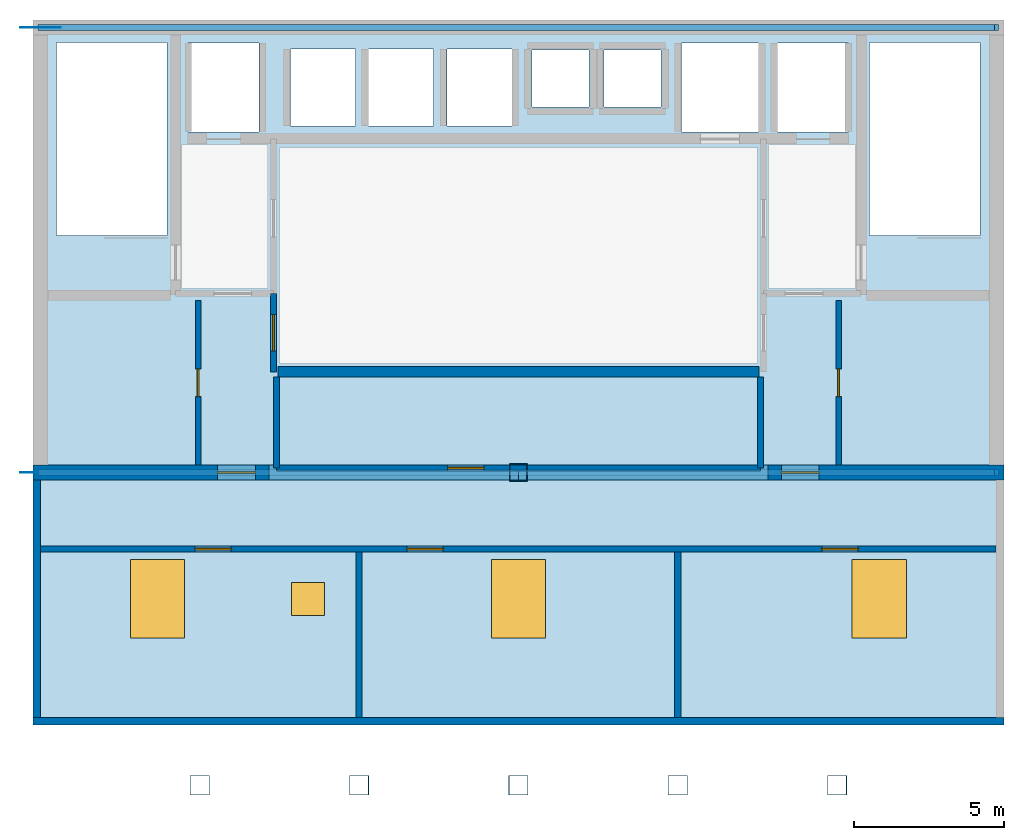
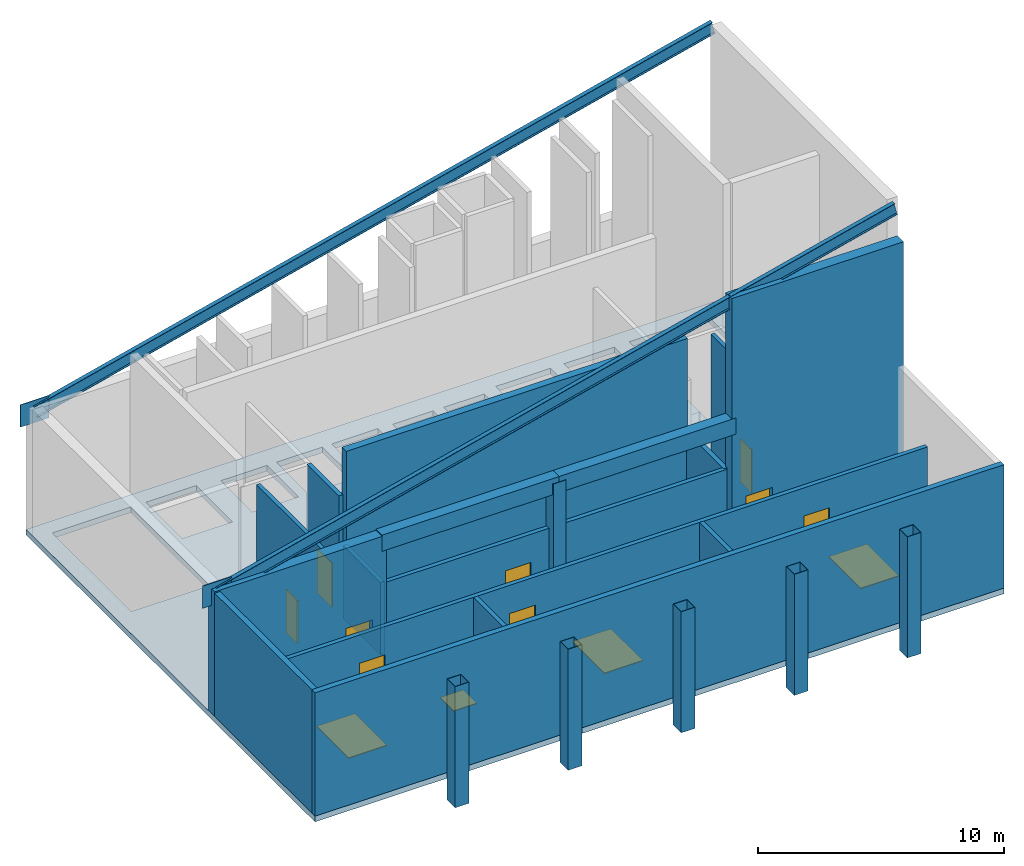
# One storey, part 1 of 3: 14 walls, 9 doors, 6 columns, 4 windows, 2 beams, 2 members, 2 plates, 1 slab, 13 openings.
"""IFC4 building model written with IfcOpenShell, lengths in metres."""

import ifcopenshell
import ifcopenshell.guid

model = None  # the IFC model being written
_history = None  # IfcOwnerHistory: only IFC2X3 demands one
_inside = {}  # id of a spatial element -> (the spatial element, [elements in it])
_under = {}  # id of a project, library or spatial element -> (it, [spatial elements below it])
_declared = {}  # id of a project -> (the project, [libraries it declares])
_typed = {}  # id of a type object -> (the type object, [elements of that type])
_made_of = {}  # id of a material, layer set ... -> (it, [elements and type objects made of it])


def new_model(schema):
    """Start an empty IFC model of exactly this schema.

    Asked for "IFC4X3", IfcOpenShell would pick the latest addendum, in which some entities
    have other attributes; the version numbers below select the first issue.
    IFC2X3 requires an IfcOwnerHistory on every rooted entity: one is made here for all.
    """
    global model, _history
    if schema == "IFC4X3":
        model = ifcopenshell.file(schema_version=(4, 3, 0, 0))
    else:
        model = ifcopenshell.file(schema=schema)
    _inside.clear()
    _under.clear()
    _declared.clear()
    _typed.clear()
    _made_of.clear()
    _history = None
    if model.schema == "IFC2X3":
        org = make("IfcOrganization", Name="unknown")
        user = make(
            "IfcPersonAndOrganization",
            ThePerson=make("IfcPerson", FamilyName="unknown"),
            TheOrganization=org,
        )
        app = make(
            "IfcApplication",
            ApplicationDeveloper=org,
            Version="unknown",
            ApplicationFullName="unknown",
            ApplicationIdentifier="unknown",
        )
        _history = make(
            "IfcOwnerHistory",
            OwningUser=user,
            OwningApplication=app,
            ChangeAction="ADDED",
            CreationDate=0,
        )
    return model


def make(cls, **values):
    """One entity of the class cls with the attributes given. An attribute that is None is left unset."""
    return model.create_entity(
        cls, **{name: value for name, value in values.items() if value is not None}
    )


def rooted(cls, **values):
    """An entity with a GlobalId (a new one), such as an element, a storey or a relation."""
    return make(cls, GlobalId=ifcopenshell.guid.new(), OwnerHistory=_history, **values)


def si_unit(unit_type, name, prefix=None):
    """IfcSIUnit, for example si_unit("LENGTHUNIT", "METRE", prefix="MILLI")."""
    return make("IfcSIUnit", UnitType=unit_type, Prefix=prefix, Name=name)


def assignment(units):
    """IfcUnitAssignment: the units of a project."""
    return None if units is None else make("IfcUnitAssignment", Units=units)


def point(xyz):
    """IfcCartesianPoint."""
    return None if xyz is None else make("IfcCartesianPoint", Coordinates=xyz)


def direction(xyz):
    """IfcDirection."""
    return None if xyz is None else make("IfcDirection", DirectionRatios=xyz)


def frame(location, z_axis=None, x_axis=None):
    """IfcAxis2Placement3D, a coordinate frame: its origin and axes. An axis left out is left unset."""
    return make(
        "IfcAxis2Placement3D",
        Location=point(location),
        Axis=direction(z_axis),
        RefDirection=direction(x_axis),
    )


def frame_2d(location, x_axis=None):
    """IfcAxis2Placement2D, a coordinate frame in the plane: its origin and x axis."""
    return make(
        "IfcAxis2Placement2D", Location=point(location), RefDirection=direction(x_axis)
    )


def origin():
    """The frame at (0, 0, 0) with its axes left unset."""
    return frame((0.0, 0.0, 0.0))


def origin_2d():
    """The frame at (0, 0) in the plane with its x axis left unset."""
    return frame_2d((0.0, 0.0))


def place(relative_to, where):
    """IfcLocalPlacement: puts the frame where relative to a parent placement (None: the world)."""
    return make(
        "IfcLocalPlacement", PlacementRelTo=relative_to, RelativePlacement=where
    )


def context(
    kind, dimensions, precision=None, world=None, true_north=None, identifier=None
):
    """IfcGeometricRepresentationContext, for example the 3D "Model" context."""
    return make(
        "IfcGeometricRepresentationContext",
        ContextIdentifier=identifier,
        ContextType=kind,
        CoordinateSpaceDimension=dimensions,
        Precision=precision,
        WorldCoordinateSystem=world,
        TrueNorth=true_north,
    )


def subcontext(parent, identifier, kind, view, scale=None):
    """IfcGeometricRepresentationSubContext, for example "Body" below "Model"."""
    return make(
        "IfcGeometricRepresentationSubContext",
        ContextIdentifier=identifier,
        ContextType=kind,
        ParentContext=parent,
        TargetScale=scale,
        TargetView=view,
    )


def project(units=None, contexts=None):
    """IfcProject with its units and contexts."""
    return rooted(
        "IfcProject",
        Name="project",
        RepresentationContexts=contexts,
        UnitsInContext=assignment(units),
    )


def spatial(cls, under=None, at=None, **own):
    """A site, building, storey or space (cls), placed at a placement, below another one or the project."""
    s = rooted(cls, ObjectPlacement=at, **own)
    if under is not None:
        _under.setdefault(under.id(), (under, []))[1].append(s)
    return s


def polyline(points):
    """IfcPolyline through the points."""
    return make("IfcPolyline", Points=[point(p) for p in points])


def profile(cls, at=None, kind="AREA", **sizes):
    """A parametric profile (cls). Its sizes go by their IFC names, for example OverallWidth=200.0."""
    return make(cls, ProfileType=kind, Position=at, **sizes)


def rectangle(**sizes):
    """IfcRectangleProfileDef."""
    return profile("IfcRectangleProfileDef", **sizes)


def hollow_rectangle(**sizes):
    """IfcRectangleHollowProfileDef."""
    return profile("IfcRectangleHollowProfileDef", **sizes)


def i_section(**sizes):
    """IfcIShapeProfileDef."""
    return profile("IfcIShapeProfileDef", **sizes)


def outline(outer, holes=None, kind="AREA"):
    """IfcArbitraryClosedProfileDef: a profile drawn as a closed curve; with holes, ...WithVoids."""
    if holes is None:
        return make("IfcArbitraryClosedProfileDef", ProfileType=kind, OuterCurve=outer)
    return make(
        "IfcArbitraryProfileDefWithVoids",
        ProfileType=kind,
        OuterCurve=outer,
        InnerCurves=holes,
    )


def extrude(swept, where, along, depth):
    """IfcExtrudedAreaSolid: the profile swept, set in the frame where, extruded along a direction by depth."""
    return make(
        "IfcExtrudedAreaSolid",
        SweptArea=swept,
        Position=where,
        ExtrudedDirection=direction(along),
        Depth=depth,
    )


def shape(context_of_items, identifier, shape_type, items):
    """IfcShapeRepresentation: the items that make up one representation, for example the "Body"."""
    return make(
        "IfcShapeRepresentation",
        ContextOfItems=context_of_items,
        RepresentationIdentifier=identifier,
        RepresentationType=shape_type,
        Items=items,
    )


def source(mapping_origin, context_of_items, identifier, shape_type, items):
    """IfcRepresentationMap: a shape defined once, which mapped items show again and again."""
    return make(
        "IfcRepresentationMap",
        MappingOrigin=mapping_origin,
        MappedRepresentation=shape(context_of_items, identifier, shape_type, items),
    )


def transform(
    local_origin,
    x_axis=None,
    y_axis=None,
    z_axis=None,
    scale=None,
    scale2=None,
    scale3=None,
    uniform=True,
):
    """IfcCartesianTransformationOperator3D, or its non-uniform kind. x_axis, y_axis, z_axis: its Axis1, 2, 3."""
    if uniform:
        return make(
            "IfcCartesianTransformationOperator3D",
            Axis1=direction(x_axis),
            Axis2=direction(y_axis),
            LocalOrigin=point(local_origin),
            Scale=scale,
            Axis3=direction(z_axis),
        )
    return make(
        "IfcCartesianTransformationOperator3DnonUniform",
        Axis1=direction(x_axis),
        Axis2=direction(y_axis),
        LocalOrigin=point(local_origin),
        Scale=scale,
        Axis3=direction(z_axis),
        Scale2=scale2,
        Scale3=scale3,
    )


def mapped(mapping_source, mapping_target):
    """IfcMappedItem: shows the shape of a source again, moved by a transform."""
    return make(
        "IfcMappedItem", MappingSource=mapping_source, MappingTarget=mapping_target
    )


def material(Name=None, Category=None):
    """IfcMaterial."""
    return make("IfcMaterial", Name=Name, Category=Category)


def layer(
    of_material, thickness, ventilated=None, Name=None, Category=None, Priority=None
):
    """IfcMaterialLayer: one layer of a wall or slab, of a material (None: an air gap)."""
    return make(
        "IfcMaterialLayer",
        Material=of_material,
        LayerThickness=thickness,
        IsVentilated=ventilated,
        Name=Name,
        Category=Category,
        Priority=Priority,
    )


def layer_set(layers, Name=None):
    """IfcMaterialLayerSet."""
    return make("IfcMaterialLayerSet", MaterialLayers=layers, LayerSetName=Name)


def material_profile(
    of_material, cross_section, Name=None, Category=None, Priority=None
):
    """IfcMaterialProfile: a cross section and its material."""
    return make(
        "IfcMaterialProfile",
        Name=Name,
        Material=of_material,
        Profile=cross_section,
        Priority=Priority,
        Category=Category,
    )


def profile_set(profiles, Name=None, composite=None):
    """IfcMaterialProfileSet."""
    return make(
        "IfcMaterialProfileSet",
        Name=Name,
        MaterialProfiles=profiles,
        CompositeProfile=composite,
    )


def made_of(thing, what):
    """Note that an element or type object is made of a material, layer set ...; save() writes the relation."""
    if what is not None:
        _made_of.setdefault(what.id(), (what, []))[1].append(thing)
    return thing


def type_object(cls, material=None, **own):
    """A type object (cls), such as IfcWallType, which elements share."""
    return made_of(rooted(cls, **own), material)


def element(
    cls,
    number,
    at=None,
    inside=None,
    cuts=None,
    type_object=None,
    material=None,
    context=None,
    identifier="Body",
    shape_type=None,
    held_by="IfcProductDefinitionShape",
    body=None,
    shapes=None,
    **own,
):
    """One element of the class cls, such as IfcWall. Its Tag is "e" and its number.

    at: its placement. inside: the storey or other place that contains it. cuts: it is an
    opening in that element (IfcRelVoidsElement). A single representation is given by context,
    identifier, shape_type and body (its items); several are given by shapes. held_by: the class
    of the entity that holds the representations. save() writes the other relations.
    """
    e = rooted(cls, Tag="e%d" % number, ObjectPlacement=at, **own)
    if body is not None:
        shapes = [shape(context, identifier, shape_type, body)]
    if shapes is not None:
        e.Representation = make(held_by, Representations=shapes)
    if inside is not None:
        _inside.setdefault(inside.id(), (inside, []))[1].append(e)
    if cuts is not None:
        rooted(
            "IfcRelVoidsElement", RelatingBuildingElement=cuts, RelatedOpeningElement=e
        )
    if type_object is not None:
        _typed.setdefault(type_object.id(), (type_object, []))[1].append(e)
    return made_of(e, material)


def fill(opening, filler):
    """IfcRelFillsElement: the door or window that sits in an opening."""
    return rooted(
        "IfcRelFillsElement",
        RelatingOpeningElement=opening,
        RelatedBuildingElement=filler,
    )


def aggregate(whole, parts):
    """IfcRelAggregates: a whole, such as a stair, and the parts it consists of."""
    return rooted("IfcRelAggregates", RelatingObject=whole, RelatedObjects=parts)


def save(model, path):
    """Write the relations noted so far, then the file.

    IfcRelAggregates (storeys below a building ...), IfcRelContainedInSpatialStructure (elements
    in a storey), IfcRelDefinesByType, IfcRelAssociatesMaterial and IfcRelDeclares: one each for
    every whole, place, type object, material and project.
    """
    for whole, parts in _under.values():
        aggregate(whole, parts)
    for where, things in _inside.values():
        rooted(
            "IfcRelContainedInSpatialStructure",
            RelatedElements=things,
            RelatingStructure=where,
        )
    for kind, things in _typed.values():
        rooted("IfcRelDefinesByType", RelatedObjects=things, RelatingType=kind)
    for what, things in _made_of.values():
        rooted("IfcRelAssociatesMaterial", RelatedObjects=things, RelatingMaterial=what)
    for by, libraries in _declared.values():
        rooted("IfcRelDeclares", RelatingContext=by, RelatedDefinitions=libraries)
    model.write(path)


model = new_model("IFC4")

# Units and contexts
model_context = context("Model", 3, precision=1e-05, world=origin(), true_north=direction((0.0, 1.0)))
body_context = subcontext(model_context, "Body", "Model", "MODEL_VIEW")
ifc_project = project(units=[si_unit("LENGTHUNIT", "METRE"), si_unit("AREAUNIT", "SQUARE_METRE"), si_unit("VOLUMEUNIT", "CUBIC_METRE"), si_unit("PLANEANGLEUNIT", "RADIAN"), si_unit("MASSUNIT", "GRAM", prefix="KILO")], contexts=[model_context])

# Site, building, storey
site_placement = place(None, origin())
site = spatial("IfcSite", under=ifc_project, at=site_placement, CompositionType="ELEMENT")
building_placement = place(site_placement, origin())
building = spatial("IfcBuilding", under=site, at=building_placement, Name="Qianlan Lanfeng Residences", CompositionType="ELEMENT")
storey_placement = place(building_placement, frame((0.0, 0.0, 270.800048828125)))
storey = spatial("IfcBuildingStorey", under=building, at=storey_placement, Name="L75", CompositionType="ELEMENT", Elevation=270.800048828125)

# Columns
ifc_material_1 = material(Name="Steel SN490B", Category="steel")
ifc_material_profile_1 = material_profile(ifc_material_1, hollow_rectangle(XDim=0.60009765625, YDim=0.60009765625, WallThickness=0.02197265625, at=origin_2d()), Name="BOX 600x600x22")
ifc_profile_set_1 = profile_set([ifc_material_profile_1], Name="Steel SN490B")
column_type_1 = type_object("IfcColumnType", Name="C-B650", PredefinedType="COLUMN", material=ifc_profile_set_1)
column_placement = place(storey_placement, frame((26.5, 25.199951171875, 0.0), z_axis=(0.0, 0.0, 1.0), x_axis=(1.0, 0.0, 0.0)))
element("IfcColumn", 1, at=column_placement, inside=storey, type_object=column_type_1, Name="L75 Structural Column CP_26.5_25.2", PredefinedType="COLUMN", context=body_context, shape_type="SweptSolid", body=[
    extrude(hollow_rectangle(XDim=0.60009765625, YDim=0.60009765625, WallThickness=0.02197265625, at=origin_2d()), origin(), (0.0, 0.0, 1.0), 6.0),
])
ifc_material_profile_2 = material_profile(ifc_material_1, hollow_rectangle(XDim=0.64990234375, YDim=0.64990234375, WallThickness=0.02197265625, at=origin_2d()), Name="BOX 650x650x22")
ifc_profile_set_2 = profile_set([ifc_material_profile_2], Name="Steel SN490B")
column_type_2 = type_object("IfcColumnType", Name="CE-B700", PredefinedType="COLUMN", material=ifc_profile_set_2)
for number, where, z_axis, x_axis, name in (
    (2, (15.89990234375, 14.800048828125, 0.0), (0.0, 0.0, 1.0), (1.0, 0.0, 0.0), "L75 Structural Column M_15.90_14.80"),
    (3, (21.199951171875, 14.800048828125, 0.0), (0.0, 0.0, 1.0), (1.0, 0.0, 0.0), "L75 Structural Column M_21.20_14.80"),
    (4, (26.5, 14.800048828125, 0.0), (0.0, 0.0, 1.0), (1.0, 0.0, 0.0), "L75 Structural Column M_26.50_14.80"),
    (5, (31.800048828125, 14.800048828125, 0.0), (0.0, 0.0, 1.0), (1.0, 0.0, 0.0), "L75 Structural Column M_31.80_14.80"),
    (6, (37.10009765625, 14.800048828125, 0.0), (0.0, 0.0, 1.0), (1.0, 0.0, 0.0), "L75 Structural Column M_37.10_14.80"),
):
    element("IfcColumn", number, at=place(storey_placement, frame(where, z_axis=z_axis, x_axis=x_axis)), inside=storey, type_object=column_type_2, Name=name, PredefinedType="COLUMN", context=body_context, shape_type="SweptSolid", body=[
        extrude(hollow_rectangle(XDim=0.64990234375, YDim=0.64990234375, WallThickness=0.02197265625, at=origin_2d()), origin(), (0.0, 0.0, 1.0), 6.0),
    ])

# Beams
ifc_material_2 = material(Name="Concrete C49", Category="concrete")
ifc_material_profile_3 = material_profile(ifc_material_2, rectangle(XDim=0.5, YDim=0.800048828125, at=origin_2d()), Name="RC 500x800")
ifc_profile_set_3 = profile_set([ifc_material_profile_3], Name="Concrete C49")
beam_type = type_object("IfcBeamType", Name="LB-RC750", PredefinedType="BEAM", material=ifc_profile_set_3)
for number, where, z_axis, x_axis, name in (
    (7, (18.199951171875, 25.199951171875, 5.83935546875), (1.0, 0.0, 0.0), (0.0, 1.0, 0.0), "L75 Core Coupling Beam W"),
    (8, (26.5, 25.199951171875, 5.83935546875), (1.0, 0.0, 0.0), (0.0, 1.0, 0.0), "L75 Core Coupling Beam E"),
):
    element("IfcBeam", number, at=place(storey_placement, frame(where, z_axis=z_axis, x_axis=x_axis)), inside=storey, type_object=beam_type, Name=name, PredefinedType="BEAM", context=body_context, shape_type="SweptSolid", body=[
        extrude(rectangle(XDim=0.5, YDim=0.800048828125, at=origin_2d()), origin(), (0.0, 0.0, 1.0), 8.300048828125),
    ])

# Members
ifc_material_profile_4 = material_profile(ifc_material_1, i_section(OverallWidth=0.199951171875, OverallDepth=0.60009765625, WebThickness=0.011962890625, FlangeThickness=0.02001953125, at=origin_2d()), Name="H 600x200x12x20")
ifc_profile_set_4 = profile_set([ifc_material_profile_4], Name="Steel SN490B")
member_type = type_object("IfcMemberType", Name="RF-600", PredefinedType="CHORD", material=ifc_profile_set_4)
for number, where, z_axis, x_axis, name in (
    (9, (10.60009765625, 25.199951171875, 5.91943359375), (0.970296549924, 0.0, 0.241918592104), (0.0, 1.0, 0.0), "Crown Blade Roof Chord 2"),
    (10, (10.60009765625, 40.0, 5.91943359375), (0.970296549924, 0.0, 0.241918592104), (0.0, 1.0, 0.0), "Crown Blade Roof Chord 3"),
):
    element("IfcMember", number, at=place(storey_placement, frame(where, z_axis=z_axis, x_axis=x_axis)), inside=storey, type_object=member_type, Name=name, PredefinedType="CHORD", context=body_context, shape_type="SweptSolid", body=[
        extrude(i_section(OverallWidth=0.199951171875, OverallDepth=0.60009765625, WebThickness=0.011962890625, FlangeThickness=0.02001953125, at=origin_2d()), origin(), (0.0, 0.0, 1.0), 32.773193359375),
    ])

# Slab, openings, windows
ifc_layer_1 = layer(ifc_material_2, 0.280029296875)
ifc_layer_set_1 = layer_set([ifc_layer_1], Name="Concrete C49")
slab_type = type_object("IfcSlabType", Name="S-FL-280", PredefinedType="FLOOR", material=ifc_layer_set_1)
slab_placement = place(storey_placement, frame((0.0, 0.0, -0.280029296875)))
slab = element("IfcSlab", 11, at=slab_placement, inside=storey, type_object=slab_type, Name="L75 Structural Floor Slab", PredefinedType="FLOOR", context=body_context, shape_type="SweptSolid", body=[
    extrude(outline(polyline([(10.35009765625, 16.800048828125), (42.64990234375, 16.800048828125), (42.64990234375, 40.25), (10.35009765625, 40.25), (10.35009765625, 16.800048828125)]), holes=[polyline([(11.139892578125, 33.080078125), (11.139892578125, 39.5), (14.820068359375, 39.5), (14.820068359375, 33.080078125), (11.139892578125, 33.080078125)]), polyline([(38.179931640625, 33.080078125), (38.179931640625, 39.5), (41.860107421875, 39.5), (41.860107421875, 33.080078125), (38.179931640625, 33.080078125)]), polyline([(15.52001953125, 36.52001953125), (15.52001953125, 39.47998046875), (17.8798828125, 39.47998046875), (17.8798828125, 36.52001953125), (15.52001953125, 36.52001953125)]), polyline([(35.1201171875, 36.52001953125), (35.1201171875, 39.47998046875), (37.47998046875, 39.47998046875), (37.47998046875, 36.52001953125), (35.1201171875, 36.52001953125)]), polyline([(31.919921875, 36.52001953125), (31.919921875, 39.47998046875), (34.47998046875, 39.47998046875), (34.47998046875, 36.52001953125), (31.919921875, 36.52001953125)]), polyline([(18.919921875, 36.719970703125), (18.919921875, 39.280029296875), (21.080078125, 39.280029296875), (21.080078125, 36.719970703125), (18.919921875, 36.719970703125)]), polyline([(21.52001953125, 36.719970703125), (21.52001953125, 39.280029296875), (23.679931640625, 39.280029296875), (23.679931640625, 36.719970703125), (21.52001953125, 36.719970703125)]), polyline([(24.1201171875, 36.719970703125), (24.1201171875, 39.280029296875), (26.280029296875, 39.280029296875), (26.280029296875, 36.719970703125), (24.1201171875, 36.719970703125)]), polyline([(26.949951171875, 37.35009765625), (26.949951171875, 39.25), (28.85009765625, 39.25), (28.85009765625, 37.35009765625), (26.949951171875, 37.35009765625)]), polyline([(29.35009765625, 37.35009765625), (29.35009765625, 39.25), (31.25, 39.25), (31.25, 37.35009765625), (29.35009765625, 37.35009765625)])]), origin(), (0.0, 0.0, 1.0), 0.280029296875),
])
opening_1_placement = place(slab_placement, frame((14.5, 21.0, -0.010009765625)))
opening_1 = element("IfcOpeningElement", 12, at=opening_1_placement, cuts=slab, Name="Opening SK-02", PredefinedType="OPENING", context=body_context, shape_type="SweptSolid", body=[
    extrude(rectangle(XDim=1.800048828125, YDim=2.60009765625, at=origin_2d()), origin(), (0.0, 0.0, 1.0), 0.300048828125),
])
opening_2_placement = place(slab_placement, frame((26.5, 21.0, -0.010009765625)))
opening_2 = element("IfcOpeningElement", 13, at=opening_2_placement, cuts=slab, Name="Opening SK-02", PredefinedType="OPENING", context=body_context, shape_type="SweptSolid", body=[
    extrude(rectangle(XDim=1.800048828125, YDim=2.60009765625, at=origin_2d()), origin(), (0.0, 0.0, 1.0), 0.300048828125),
])
opening_3_placement = place(slab_placement, frame((38.5, 21.0, -0.010009765625)))
opening_3 = element("IfcOpeningElement", 14, at=opening_3_placement, cuts=slab, Name="Opening SK-02", PredefinedType="OPENING", context=body_context, shape_type="SweptSolid", body=[
    extrude(rectangle(XDim=1.800048828125, YDim=2.60009765625, at=origin_2d()), origin(), (0.0, 0.0, 1.0), 0.300048828125),
])
opening_4_placement = place(slab_placement, frame((19.5, 21.0, -0.010009765625)))
opening_4 = element("IfcOpeningElement", 15, at=opening_4_placement, cuts=slab, Name="Opening RH-01", PredefinedType="OPENING", context=body_context, shape_type="SweptSolid", body=[
    extrude(rectangle(XDim=1.10009765625, YDim=1.10009765625, at=origin_2d()), origin(), (0.0, 0.0, 1.0), 0.300048828125),
])
ifc_material_3 = material(Name="Anodised Bronze Aluminium Framed Double Glazing", Category="aluminium")
window_type_1 = type_object("IfcWindowType", Name="RH-01", PartitioningType="SINGLE_PANEL", PredefinedType="SKYLIGHT", material=ifc_material_3)
window_1_placement = place(slab_placement, frame((19.5, 21.0, 0.22998046875)))
window_1 = element("IfcWindow", 16, at=window_1_placement, inside=storey, type_object=window_type_1, Name="L75 Roof Maintenance Access Hatch RH-01", OverallHeight=1.10009765625, OverallWidth=1.10009765625, PartitioningType="SINGLE_PANEL", PredefinedType="SKYLIGHT", context=body_context, shape_type="SweptSolid", body=[
    extrude(rectangle(XDim=1.10009765625, YDim=1.10009765625, at=origin_2d()), origin(), (0.0, 0.0, 1.0), 0.050048828125),
])
fill(opening_4, window_1)
window_type_2 = type_object("IfcWindowType", Name="SK-02", PartitioningType="SINGLE_PANEL", PredefinedType="SKYLIGHT", material=ifc_material_3)
window_2_placement = place(slab_placement, frame((14.5, 21.0, 0.22998046875)))
window_2 = element("IfcWindow", 17, at=window_2_placement, inside=storey, type_object=window_type_2, Name="L75 Observation Gallery Skylight 1", OverallHeight=2.60009765625, OverallWidth=1.800048828125, PartitioningType="SINGLE_PANEL", PredefinedType="SKYLIGHT", context=body_context, shape_type="SweptSolid", body=[
    extrude(rectangle(XDim=1.800048828125, YDim=2.60009765625, at=origin_2d()), origin(), (0.0, 0.0, 1.0), 0.050048828125),
])
fill(opening_1, window_2)
window_3_placement = place(slab_placement, frame((26.5, 21.0, 0.22998046875)))
window_3 = element("IfcWindow", 18, at=window_3_placement, inside=storey, type_object=window_type_2, Name="L75 Observation Gallery Skylight 2", OverallHeight=2.60009765625, OverallWidth=1.800048828125, PartitioningType="SINGLE_PANEL", PredefinedType="SKYLIGHT", context=body_context, shape_type="SweptSolid", body=[
    extrude(rectangle(XDim=1.800048828125, YDim=2.60009765625, at=origin_2d()), origin(), (0.0, 0.0, 1.0), 0.050048828125),
])
fill(opening_2, window_3)
window_4_placement = place(slab_placement, frame((38.5, 21.0, 0.22998046875)))
window_4 = element("IfcWindow", 19, at=window_4_placement, inside=storey, type_object=window_type_2, Name="L75 Observation Gallery Skylight 3", OverallHeight=2.60009765625, OverallWidth=1.800048828125, PartitioningType="SINGLE_PANEL", PredefinedType="SKYLIGHT", context=body_context, shape_type="SweptSolid", body=[
    extrude(rectangle(XDim=1.800048828125, YDim=2.60009765625, at=origin_2d()), origin(), (0.0, 0.0, 1.0), 0.050048828125),
])
fill(opening_3, window_4)

# Plates
ifc_layer_2 = layer(ifc_material_1, 0.028076171875)
ifc_layer_set_2 = layer_set([ifc_layer_2], Name="Steel SN490B")
plate_type = type_object("IfcPlateType", Name="NP-GUS-28", PredefinedType="USERDEFINED", material=ifc_layer_set_2)
shared_shape = source(origin(), body_context, "Body", "SweptSolid", [
    extrude(rectangle(XDim=1.35009765625, YDim=0.028076171875, at=origin_2d()), origin(), (0.0, 0.0, 1.0), 1.10009765625),
])
for number, where, z_axis, x_axis, name in (
    (20, (10.60009765625, 25.199951171875, 5.369384765625), (0.0, 0.0, 1.0), (1.0, 0.0, 0.0), "Crown Roof Chord End Gusset Plate 2-W"),
    (21, (10.60009765625, 40.0, 5.369384765625), (0.0, 0.0, 1.0), (1.0, 0.0, 0.0), "Crown Roof Chord End Gusset Plate 3-W"),
):
    element("IfcPlate", number, at=place(storey_placement, frame(where, z_axis=z_axis, x_axis=x_axis)), inside=storey, type_object=plate_type, Name=name, ObjectType="GUSSET", PredefinedType="USERDEFINED", context=body_context, shape_type="MappedRepresentation", body=[
        mapped(shared_shape, transform((0.0, 0.0, 0.0), scale=1.0)),
    ])

# Wall
ifc_layer_3 = layer(ifc_material_2, 0.35009765625)
ifc_layer_set_3 = layer_set([ifc_layer_3], Name="Concrete C49")
wall_type_1 = type_object("IfcWallType", Name="CW-RC-350", PredefinedType="SHEAR", material=ifc_layer_set_3)
wall_1_placement = place(storey_placement, frame((18.5, 28.550048828125, 0.0), z_axis=(0.0, 0.0, 1.0), x_axis=(1.0, 0.0, 0.0)))
element("IfcWall", 22, at=wall_1_placement, inside=storey, type_object=wall_type_1, Name="L75 Core Shear Wall LBS", PredefinedType="SHEAR", context=body_context, shape_type="SweptSolid", body=[
    extrude(rectangle(XDim=16.0, YDim=0.35009765625, at=frame_2d((8.0, 0.0))), origin(), (0.0, 0.0, 1.0), 8.208984375),
])

# Wall, opening, door
ifc_material_4 = material(Name="Concrete C70", Category="concrete")
ifc_layer_4 = layer(ifc_material_4, 0.5)
ifc_layer_set_4 = layer_set([ifc_layer_4], Name="Concrete C70")
wall_type_2 = type_object("IfcWallType", Name="CW-RC-500", PredefinedType="SHEAR", material=ifc_layer_set_4)
wall_2_placement = place(storey_placement, frame((10.35009765625, 25.199951171875, 0.0), z_axis=(0.0, 0.0, 1.0), x_axis=(1.0, 0.0, 0.0)))
wall_2 = element("IfcWall", 23, at=wall_2_placement, inside=storey, type_object=wall_type_2, Name="L75 Core Shear Wall SW", PredefinedType="SHEAR", context=body_context, shape_type="SweptSolid", body=[
    extrude(rectangle(XDim=8.0498046875, YDim=0.5, at=frame_2d((4.02490234375, 0.0))), origin(), (0.0, 0.0, 1.0), 6.177001953125),
])
opening_5_placement = place(wall_2_placement, frame((6.14990234375, 0.0, 0.0)))
opening_5 = element("IfcOpeningElement", 24, at=opening_5_placement, cuts=wall_2, Name="Opening L75-D01", PredefinedType="OPENING", context=body_context, shape_type="SweptSolid", body=[
    extrude(rectangle(XDim=1.25, YDim=2.199951171875, at=frame_2d((0.625, 1.10009765625))), frame((0.0, 0.260009765625, 0.0), z_axis=(0.0, -1.0, 0.0), x_axis=(1.0, 0.0, 0.0)), (0.0, 0.0, 1.0), 0.52001953125),
])
ifc_material_5 = material(Name="Painted Galvanised Steel Fire Door", Category="steel")
door_type_1 = type_object("IfcDoorType", Name="DT-FFL", OperationType="NOTDEFINED", PredefinedType="DOOR", material=ifc_material_5)
door_1_placement = place(opening_5_placement, origin())
door_1 = element("IfcDoor", 25, at=door_1_placement, inside=storey, type_object=door_type_1, Name="L75 West Core Lobby Smoke Door L75-D01 (DT-FFL)", OperationType="SINGLE_SWING_RIGHT", OverallHeight=2.199951171875, OverallWidth=1.25, PredefinedType="DOOR", context=body_context, shape_type="SweptSolid", body=[
    extrude(rectangle(XDim=1.25, YDim=2.199951171875, at=frame_2d((0.625, 1.10009765625))), frame((0.0, 0.02490234375, 0.0), z_axis=(0.0, -1.0, 0.0), x_axis=(1.0, 0.0, 0.0)), (0.0, 0.0, 1.0), 0.050048828125),
])
fill(opening_5, door_1)

wall_3_placement = place(storey_placement, frame((34.60009765625, 25.199951171875, 0.0), z_axis=(0.0, 0.0, 1.0), x_axis=(1.0, 0.0, 0.0)))
wall_3 = element("IfcWall", 26, at=wall_3_placement, inside=storey, type_object=wall_type_2, Name="L75 Core Shear Wall SE", PredefinedType="SHEAR", context=body_context, shape_type="SweptSolid", body=[
    extrude(rectangle(XDim=8.0498046875, YDim=0.5, at=frame_2d((4.02490234375, 0.0))), origin(), (0.0, 0.0, 1.0), 12.22314453125),
])
opening_6_placement = place(wall_3_placement, frame((0.64990234375, 0.0, 0.0)))
opening_6 = element("IfcOpeningElement", 27, at=opening_6_placement, cuts=wall_3, Name="Opening L75-D02", PredefinedType="OPENING", context=body_context, shape_type="SweptSolid", body=[
    extrude(rectangle(XDim=1.25, YDim=2.199951171875, at=frame_2d((0.625, 1.10009765625))), frame((0.0, 0.260009765625, 0.0), z_axis=(0.0, -1.0, 0.0), x_axis=(1.0, 0.0, 0.0)), (0.0, 0.0, 1.0), 0.52001953125),
])
door_2_placement = place(opening_6_placement, origin())
door_2 = element("IfcDoor", 28, at=door_2_placement, inside=storey, type_object=door_type_1, Name="L75 East Core Lobby Smoke Door L75-D02 (DT-FFL)", OperationType="SINGLE_SWING_LEFT", OverallHeight=2.199951171875, OverallWidth=1.25, PredefinedType="DOOR", context=body_context, shape_type="SweptSolid", body=[
    extrude(rectangle(XDim=1.25, YDim=2.199951171875, at=frame_2d((0.625, 1.10009765625))), frame((0.0, 0.02490234375, 0.0), z_axis=(0.0, -1.0, 0.0), x_axis=(1.0, 0.0, 0.0)), (0.0, 0.0, 1.0), 0.050048828125),
])
fill(opening_6, door_2)

# Walls
ifc_material_6 = material(Name="Concrete C42", Category="concrete")
ifc_layer_5 = layer(ifc_material_6, 0.260009765625)
ifc_layer_set_5 = layer_set([ifc_layer_5], Name="Concrete C42")
wall_type_3 = type_object("IfcWallType", Name="EW-260", PredefinedType="SOLIDWALL", material=ifc_layer_set_5)
wall_4_placement = place(storey_placement, frame((10.35009765625, 16.929931640625, 0.0), z_axis=(0.0, 0.0, 1.0), x_axis=(1.0, 0.0, 0.0)))
element("IfcWall", 29, at=wall_4_placement, inside=storey, type_object=wall_type_3, Name="L75 Crown Plant South Louvred Enclosure Wall", PredefinedType="SOLIDWALL", context=body_context, shape_type="SweptSolid", body=[
    extrude(rectangle(XDim=32.2998046875, YDim=0.260009765625, at=frame_2d((16.14990234375, 0.0))), origin(), (0.0, 0.0, 1.0), 6.1162109375),
])
wall_5_placement = place(storey_placement, frame((10.47998046875, 24.949951171875, 0.0), z_axis=(0.0, 0.0, 1.0), x_axis=(0.0, -1.0, 0.0)))
element("IfcWall", 30, at=wall_5_placement, inside=storey, type_object=wall_type_3, Name="L75 Crown Plant West Enclosure Wall", PredefinedType="SOLIDWALL", context=body_context, shape_type="SweptSolid", body=[
    extrude(rectangle(XDim=7.889892578125, YDim=0.260009765625, at=frame_2d((3.94482421875, 0.0))), origin(), (0.0, 0.0, 1.0), 6.1162109375),
])

# Wall, opening, door
ifc_material_7 = material(Name="Double-Layer Acoustic Gypsum Stud Wall 180 mm")
ifc_layer_6 = layer(ifc_material_7, 0.179931640625)
ifc_layer_set_6 = layer_set([ifc_layer_6], Name="Double-Layer Acoustic Gypsum Stud Wall 180 mm")
wall_type_4 = type_object("IfcWallType", Name="PW-180", PredefinedType="PARTITIONING", material=ifc_layer_set_6)
wall_6_placement = place(storey_placement, frame((15.85009765625, 25.449951171875, 0.0), z_axis=(0.0, 0.0, 1.0), x_axis=(0.0, 1.0, 0.0)))
wall_6 = element("IfcWall", 31, at=wall_6_placement, inside=storey, type_object=wall_type_4, Name="L75 Core West Service Room Wall", PredefinedType="PARTITIONING", context=body_context, shape_type="SweptSolid", body=[
    extrude(rectangle(XDim=5.47509765625, YDim=0.179931640625, at=frame_2d((2.737548828125, 0.0))), origin(), (0.0, 0.0, 1.0), 5.97998046875),
])
opening_7_placement = place(wall_6_placement, frame((2.277099609375, 0.0, 0.0)))
opening_7 = element("IfcOpeningElement", 32, at=opening_7_placement, cuts=wall_6, Name="Opening L75-D09", PredefinedType="OPENING", context=body_context, shape_type="SweptSolid", body=[
    extrude(rectangle(XDim=0.919921875, YDim=2.14990234375, at=frame_2d((0.4599609375, 1.074951171875))), frame((0.0, 0.10009765625, 0.0), z_axis=(0.0, -1.0, 0.0), x_axis=(1.0, 0.0, 0.0)), (0.0, 0.0, 1.0), 0.199951171875),
])
ifc_material_8 = material(Name="Glazed Timber Kitchen/Study Door", Category="wood")
door_type_2 = type_object("IfcDoorType", Name="DT-INT", OperationType="NOTDEFINED", PredefinedType="DOOR", material=ifc_material_8)
door_3_placement = place(opening_7_placement, origin())
door_3 = element("IfcDoor", 33, at=door_3_placement, inside=storey, type_object=door_type_2, Name="L75 Core Storage Door L75-D09 (DT-INT)", OperationType="SINGLE_SWING_RIGHT", OverallHeight=2.14990234375, OverallWidth=0.919921875, PredefinedType="DOOR", context=body_context, shape_type="SweptSolid", body=[
    extrude(rectangle(XDim=0.919921875, YDim=2.14990234375, at=frame_2d((0.4599609375, 1.074951171875))), frame((0.0, 0.02490234375, 0.0), z_axis=(0.0, -1.0, 0.0), x_axis=(1.0, 0.0, 0.0)), (0.0, 0.0, 1.0), 0.050048828125),
])
fill(opening_7, door_3)

wall_7_placement = place(storey_placement, frame((37.14990234375, 25.449951171875, 0.0), z_axis=(0.0, 0.0, 1.0), x_axis=(0.0, 1.0, 0.0)))
wall_7 = element("IfcWall", 34, at=wall_7_placement, inside=storey, type_object=wall_type_4, Name="L75 Core East Service Room Wall", PredefinedType="PARTITIONING", context=body_context, shape_type="SweptSolid", body=[
    extrude(rectangle(XDim=5.47509765625, YDim=0.179931640625, at=frame_2d((2.737548828125, 0.0))), origin(), (0.0, 0.0, 1.0), 5.97998046875),
])
opening_8_placement = place(wall_7_placement, frame((2.277099609375, 0.0, 0.0)))
opening_8 = element("IfcOpeningElement", 35, at=opening_8_placement, cuts=wall_7, Name="Opening L75-D10", PredefinedType="OPENING", context=body_context, shape_type="SweptSolid", body=[
    extrude(rectangle(XDim=0.919921875, YDim=2.14990234375, at=frame_2d((0.4599609375, 1.074951171875))), frame((0.0, 0.10009765625, 0.0), z_axis=(0.0, -1.0, 0.0), x_axis=(1.0, 0.0, 0.0)), (0.0, 0.0, 1.0), 0.199951171875),
])
door_4_placement = place(opening_8_placement, origin())
door_4 = element("IfcDoor", 36, at=door_4_placement, inside=storey, type_object=door_type_2, Name="L75 Refuse Recycling Door L75-D10 (DT-INT)", OperationType="SINGLE_SWING_LEFT", OverallHeight=2.14990234375, OverallWidth=0.919921875, PredefinedType="DOOR", context=body_context, shape_type="SweptSolid", body=[
    extrude(rectangle(XDim=0.919921875, YDim=2.14990234375, at=frame_2d((0.4599609375, 1.074951171875))), frame((0.0, 0.02490234375, 0.0), z_axis=(0.0, -1.0, 0.0), x_axis=(1.0, 0.0, 0.0)), (0.0, 0.0, 1.0), 0.050048828125),
])
fill(opening_8, door_4)

ifc_material_9 = material(Name="Autoclaved Aerated Concrete Blockwork 200 mm", Category="masonry")
ifc_layer_7 = layer(ifc_material_9, 0.199951171875)
ifc_layer_set_7 = layer_set([ifc_layer_7], Name="Autoclaved Aerated Concrete Blockwork 200 mm")
wall_type_5 = type_object("IfcWallType", Name="PW-200", PredefinedType="PARTITIONING", material=ifc_layer_set_7)
wall_8_placement = place(storey_placement, frame((18.35009765625, 28.550048828125, 0.0), z_axis=(0.0, 0.0, 1.0), x_axis=(0.0, 1.0, 0.0)))
wall_8 = element("IfcWall", 37, at=wall_8_placement, inside=storey, type_object=wall_type_5, Name="L75 Lift Lobby West Connector Wall", PredefinedType="PARTITIONING", context=body_context, shape_type="SweptSolid", body=[
    extrude(rectangle(XDim=2.599853515625, YDim=0.199951171875, at=frame_2d((1.2998046875, 0.0))), origin(), (0.0, 0.0, 1.0), 5.97998046875),
])
opening_9_placement = place(wall_8_placement, frame((0.699951171875, 0.0, 0.0)))
opening_9 = element("IfcOpeningElement", 38, at=opening_9_placement, cuts=wall_8, Name="Opening L75-D11", PredefinedType="OPENING", context=body_context, shape_type="SweptSolid", body=[
    extrude(rectangle(XDim=1.199951171875, YDim=2.199951171875, at=frame_2d((0.60009765625, 1.10009765625))), frame((0.0, 0.10986328125, 0.0), z_axis=(0.0, -1.0, 0.0), x_axis=(1.0, 0.0, 0.0)), (0.0, 0.0, 1.0), 0.219970703125),
])
ifc_material_10 = material(Name="Painted Galvanised Steel Plant Door", Category="steel")
door_type_3 = type_object("IfcDoorType", Name="DT-PLT", OperationType="NOTDEFINED", PredefinedType="DOOR", material=ifc_material_10)
door_5_placement = place(opening_9_placement, origin())
door_5 = element("IfcDoor", 39, at=door_5_placement, inside=storey, type_object=door_type_3, Name="L75 Elevator Machine Room West Door L75-D11 (DT-PLT)", OperationType="SINGLE_SWING_LEFT", OverallHeight=2.199951171875, OverallWidth=1.199951171875, PredefinedType="DOOR", context=body_context, shape_type="SweptSolid", body=[
    extrude(rectangle(XDim=1.199951171875, YDim=2.199951171875, at=frame_2d((0.60009765625, 1.10009765625))), frame((0.0, 0.02490234375, 0.0), z_axis=(0.0, -1.0, 0.0), x_axis=(1.0, 0.0, 0.0)), (0.0, 0.0, 1.0), 0.050048828125),
])
fill(opening_9, door_5)

# Wall, openings, doors
wall_9_placement = place(storey_placement, frame((10.610107421875, 22.64990234375, 0.0), z_axis=(0.0, 0.0, 1.0), x_axis=(1.0, 0.0, 0.0)))
wall_9 = element("IfcWall", 40, at=wall_9_placement, inside=storey, type_object=wall_type_5, Name="L75 Crown Plant Corridor South Wall", PredefinedType="PARTITIONING", context=body_context, shape_type="SweptSolid", body=[
    extrude(rectangle(XDim=31.77978515625, YDim=0.199951171875, at=frame_2d((15.889892578125, 0.0))), origin(), (0.0, 0.0, 1.0), 3.599853515625),
])
opening_10_placement = place(wall_9_placement, frame((5.139892578125, 0.0, 0.0)))
opening_10 = element("IfcOpeningElement", 41, at=opening_10_placement, cuts=wall_9, Name="Opening L75-D13", PredefinedType="OPENING", context=body_context, shape_type="SweptSolid", body=[
    extrude(rectangle(XDim=1.199951171875, YDim=2.199951171875, at=frame_2d((0.60009765625, 1.10009765625))), frame((0.0, 0.10986328125, 0.0), z_axis=(0.0, -1.0, 0.0), x_axis=(1.0, 0.0, 0.0)), (0.0, 0.0, 1.0), 0.219970703125),
])
opening_11_placement = place(wall_9_placement, frame((12.18994140625, 0.0, 0.0)))
opening_11 = element("IfcOpeningElement", 42, at=opening_11_placement, cuts=wall_9, Name="Opening L75-D14", PredefinedType="OPENING", context=body_context, shape_type="SweptSolid", body=[
    extrude(rectangle(XDim=1.199951171875, YDim=2.199951171875, at=frame_2d((0.60009765625, 1.10009765625))), frame((0.0, 0.10986328125, 0.0), z_axis=(0.0, -1.0, 0.0), x_axis=(1.0, 0.0, 0.0)), (0.0, 0.0, 1.0), 0.219970703125),
])
opening_12_placement = place(wall_9_placement, frame((25.985107421875, 0.0, 0.0)))
opening_12 = element("IfcOpeningElement", 43, at=opening_12_placement, cuts=wall_9, Name="Opening L75-D15", PredefinedType="OPENING", context=body_context, shape_type="SweptSolid", body=[
    extrude(rectangle(XDim=1.199951171875, YDim=2.199951171875, at=frame_2d((0.60009765625, 1.10009765625))), frame((0.0, 0.10986328125, 0.0), z_axis=(0.0, -1.0, 0.0), x_axis=(1.0, 0.0, 0.0)), (0.0, 0.0, 1.0), 0.219970703125),
])
door_6_placement = place(opening_10_placement, origin())
door_6 = element("IfcDoor", 44, at=door_6_placement, inside=storey, type_object=door_type_3, Name="L75 Crown HVAC Plant Room Door L75-D13 (DT-PLT)", OperationType="SINGLE_SWING_RIGHT", OverallHeight=2.199951171875, OverallWidth=1.199951171875, PredefinedType="DOOR", context=body_context, shape_type="SweptSolid", body=[
    extrude(rectangle(XDim=1.199951171875, YDim=2.199951171875, at=frame_2d((0.60009765625, 1.10009765625))), frame((0.0, 0.02490234375, 0.0), z_axis=(0.0, -1.0, 0.0), x_axis=(1.0, 0.0, 0.0)), (0.0, 0.0, 1.0), 0.050048828125),
])
fill(opening_10, door_6)
door_7_placement = place(opening_11_placement, origin())
door_7 = element("IfcDoor", 45, at=door_7_placement, inside=storey, type_object=door_type_3, Name="L75 Smoke Extract Fan Room Door L75-D14 (DT-PLT)", OperationType="SINGLE_SWING_LEFT", OverallHeight=2.199951171875, OverallWidth=1.199951171875, PredefinedType="DOOR", context=body_context, shape_type="SweptSolid", body=[
    extrude(rectangle(XDim=1.199951171875, YDim=2.199951171875, at=frame_2d((0.60009765625, 1.10009765625))), frame((0.0, 0.02490234375, 0.0), z_axis=(0.0, -1.0, 0.0), x_axis=(1.0, 0.0, 0.0)), (0.0, 0.0, 1.0), 0.050048828125),
])
fill(opening_11, door_7)
door_8_placement = place(opening_12_placement, origin())
door_8 = element("IfcDoor", 46, at=door_8_placement, inside=storey, type_object=door_type_3, Name="L75 Emergency Power Switchroom Door L75-D15 (DT-PLT)", OperationType="SINGLE_SWING_RIGHT", OverallHeight=2.199951171875, OverallWidth=1.199951171875, PredefinedType="DOOR", context=body_context, shape_type="SweptSolid", body=[
    extrude(rectangle(XDim=1.199951171875, YDim=2.199951171875, at=frame_2d((0.60009765625, 1.10009765625))), frame((0.0, 0.02490234375, 0.0), z_axis=(0.0, -1.0, 0.0), x_axis=(1.0, 0.0, 0.0)), (0.0, 0.0, 1.0), 0.050048828125),
])
fill(opening_12, door_8)

# Walls
for number, where, z_axis, x_axis, name in (
    (47, (21.199951171875, 17.06005859375, 0.0), (0.0, 0.0, 1.0), (0.0, 1.0, 0.0), "L75 Plant Room Split 1"),
    (48, (31.800048828125, 17.06005859375, 0.0), (0.0, 0.0, 1.0), (0.0, 1.0, 0.0), "L75 Plant Room Split 2"),
):
    element("IfcWall", number, at=place(storey_placement, frame(where, z_axis=z_axis, x_axis=x_axis)), inside=storey, type_object=wall_type_5, Name=name, PredefinedType="PARTITIONING", context=body_context, shape_type="SweptSolid", body=[
        extrude(rectangle(XDim=5.489990234375, YDim=0.199951171875, at=frame_2d((2.7451171875, 0.0))), origin(), (0.0, 0.0, 1.0), 3.599853515625),
    ])
for number, where, z_axis, x_axis, name in (
    (49, (18.449951171875, 25.35009765625, 0.0), (0.0, 0.0, 1.0), (0.0, 1.0, 0.0), "L75 Chilled Water West Wall"),
    (50, (34.550048828125, 25.35009765625, 0.0), (0.0, 0.0, 1.0), (0.0, 1.0, 0.0), "L75 Chilled Water East Wall"),
):
    element("IfcWall", number, at=place(storey_placement, frame(where, z_axis=z_axis, x_axis=x_axis)), inside=storey, type_object=wall_type_5, Name=name, PredefinedType="PARTITIONING", context=body_context, shape_type="SweptSolid", body=[
        extrude(rectangle(XDim=3.02978515625, YDim=0.199951171875, at=frame_2d((1.514892578125, 0.0))), origin(), (0.0, 0.0, 1.0), 3.599853515625),
    ])

# Wall, opening, door
wall_10_placement = place(storey_placement, frame((18.449951171875, 25.35009765625, 0.0), z_axis=(0.0, 0.0, 1.0), x_axis=(1.0, 0.0, 0.0)))
wall_10 = element("IfcWall", 51, at=wall_10_placement, inside=storey, type_object=wall_type_5, Name="L75 Chilled Water South Wall", PredefinedType="PARTITIONING", context=body_context, shape_type="SweptSolid", body=[
    extrude(rectangle(XDim=16.10009765625, YDim=0.199951171875, at=frame_2d((8.050048828125, 0.0))), origin(), (0.0, 0.0, 1.0), 3.599853515625),
])
opening_13_placement = place(wall_10_placement, frame((5.699951171875, 0.0, 0.0)))
opening_13 = element("IfcOpeningElement", 52, at=opening_13_placement, cuts=wall_10, Name="Opening L75-D16", PredefinedType="OPENING", context=body_context, shape_type="SweptSolid", body=[
    extrude(rectangle(XDim=1.199951171875, YDim=2.199951171875, at=frame_2d((0.60009765625, 1.10009765625))), frame((0.0, 0.10986328125, 0.0), z_axis=(0.0, -1.0, 0.0), x_axis=(1.0, 0.0, 0.0)), (0.0, 0.0, 1.0), 0.219970703125),
])
door_9_placement = place(opening_13_placement, origin())
door_9 = element("IfcDoor", 53, at=door_9_placement, inside=storey, type_object=door_type_3, Name="L75 Chilled Water Expansion Room Door L75-D16 (DT-PLT)", OperationType="SINGLE_SWING_LEFT", OverallHeight=2.199951171875, OverallWidth=1.199951171875, PredefinedType="DOOR", context=body_context, shape_type="SweptSolid", body=[
    extrude(rectangle(XDim=1.199951171875, YDim=2.199951171875, at=frame_2d((0.60009765625, 1.10009765625))), frame((0.0, 0.02490234375, 0.0), z_axis=(0.0, -1.0, 0.0), x_axis=(1.0, 0.0, 0.0)), (0.0, 0.0, 1.0), 0.050048828125),
])
fill(opening_13, door_9)

save(model, "model.ifc")
